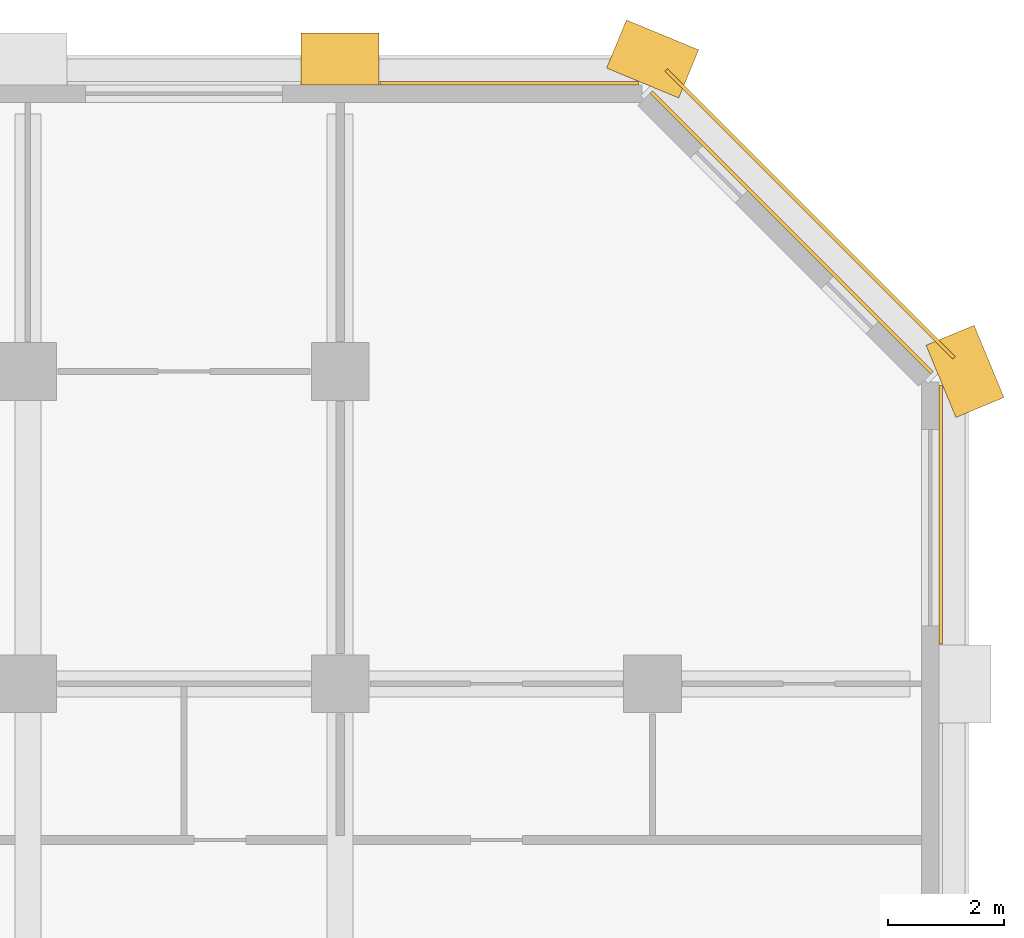
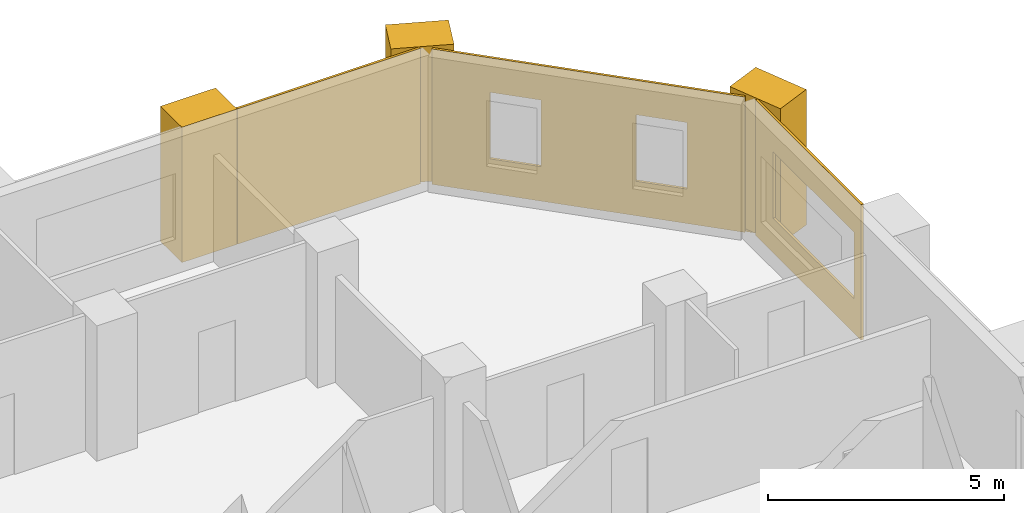
# One storey, part 11 of 11: 7 coverings.
"""IFC4 building model written with IfcOpenShell, lengths in metres."""

from ifc_helpers import new_model, si_unit, direction, frame, frame_2d, origin, place, context, subcontext, project, spatial, polyline, rectangle, outline, extrude, material, layer, layer_set, type_object, element, save


model = new_model("IFC4")

# Units and contexts
model_context = context("Model", 3, precision=1e-05, world=origin(), true_north=direction((0.0, 1.0)))
body_context = subcontext(model_context, "Body", "Model", "MODEL_VIEW")
ifc_project = project(units=[si_unit("LENGTHUNIT", "METRE"), si_unit("AREAUNIT", "SQUARE_METRE"), si_unit("VOLUMEUNIT", "CUBIC_METRE"), si_unit("PLANEANGLEUNIT", "RADIAN"), si_unit("MASSUNIT", "GRAM", prefix="KILO")], contexts=[model_context])

# Site, building, storey
site_placement = place(None, origin())
site = spatial("IfcSite", under=ifc_project, at=site_placement, CompositionType="ELEMENT")
building_placement = place(site_placement, origin())
building = spatial("IfcBuilding", under=site, at=building_placement, Name="Tabaq Tower and Sports Hall", CompositionType="ELEMENT")
storey_placement = place(building_placement, frame((0.0, 0.0, 76.39990234375)))
storey = spatial("IfcBuildingStorey", under=building, at=storey_placement, Name="L17", CompositionType="ELEMENT", Elevation=76.39990234375)

# Coverings
ifc_material_1 = material(Name="Precast concrete C60/75", Category="concrete")
ifc_layer_1 = layer(ifc_material_1, 0.06005859375)
ifc_layer_set_1 = layer_set([ifc_layer_1], Name="Edge beam cladding 60")
covering_type_1 = type_object("IfcCoveringType", Name="Edge beam cladding 60", PredefinedType="CLADDING", material=ifc_layer_set_1)
covering_1_placement = place(storey_placement, frame((48.41015625, 43.432373046875, -0.2998046875), z_axis=(0.0, 0.0, 1.0), x_axis=(-0.707106781187, 0.707106781187, 0.0)))
element("IfcCovering", 1, at=covering_1_placement, inside=storey, type_object=covering_type_1, Name="Edge beam cladding L17 3", PredefinedType="CLADDING", context=body_context, shape_type="SweptSolid", body=[
    extrude(rectangle(XDim=7.03955078125, YDim=0.06005859375, at=frame_2d((3.519775390625, 0.0))), origin(), (0.0, 0.0, 1.0), 0.2998046875),
])
ifc_material_2 = material(Name="White precast concrete C60/75", Category="concrete")
covering_type_2 = type_object("IfcCoveringType", Name="Pier cladding hung 1350x900", PredefinedType="CLADDING", material=ifc_material_2)
for number, where, z_axis, x_axis, name in (
    (2, (38.47509765625, 48.60009765625, 0.0), (0.0, 0.0, 1.0), (-1.0, 0.0, 0.0), "Hung pier cladding 7/9"),
    (3, (43.82373046875, 48.341796875, 0.0), (0.0, 0.0, 1.0), (-0.923893411637, 0.382649923473, 0.0), "Hung pier cladding 8/9"),
    (4, (48.8583984375, 42.576416015625, 0.0), (0.0, 0.0, 1.0), (-0.382649923473, 0.923893411637, 0.0), "Hung pier cladding 9/8"),
):
    element("IfcCovering", number, at=place(storey_placement, frame(where, z_axis=z_axis, x_axis=x_axis)), inside=storey, type_object=covering_type_2, Name=name, PredefinedType="CLADDING", context=body_context, shape_type="SweptSolid", body=[
        extrude(rectangle(XDim=1.35009765625, YDim=0.89990234375, at=frame_2d((0.675048828125, 0.0))), origin(), (0.0, 0.0, 1.0), 3.5),
    ])
ifc_material_3 = material(Name="Precast concrete C60/75", Category="concrete")
ifc_layer_2 = layer(ifc_material_3, 0.06005859375)
ifc_layer_set_2 = layer_set([ifc_layer_2], Name="White precast cladding panel 60 C60/75")
covering_type_3 = type_object("IfcCoveringType", Name="White precast cladding panel 60 C60/75", PredefinedType="CLADDING", material=ifc_layer_set_2)
covering_2_placement = place(storey_placement, frame((48.179931640625, 38.485107421875, 0.0), z_axis=(0.0, 0.0, 1.0), x_axis=(0.0, 1.0, 0.0)))
element("IfcCovering", 5, at=covering_2_placement, inside=storey, type_object=covering_type_3, Name="White precast cladding panel L17 wall02 6", PredefinedType="CLADDING", context=body_context, shape_type="SweptSolid", body=[
    extrude(outline(polyline([(0.0, 0.0), (4.4716796875, 0.0), (4.4716796875, 3.5), (0.0, 3.5), (0.0, 0.0)]), holes=[polyline([(0.304931640625, 0.89013671875), (0.304931640625, 2.610107421875), (3.72509765625, 2.610107421875), (3.72509765625, 0.89013671875), (0.304931640625, 0.89013671875)])]), frame((0.0, 0.030029296875, 0.0), z_axis=(0.0, -1.0, 0.0), x_axis=(1.0, 0.0, 0.0)), (0.0, 0.0, 1.0), 0.06005859375),
])
covering_3_placement = place(storey_placement, frame((48.0283203125, 43.177734375, 0.0), z_axis=(0.0, 0.0, 1.0), x_axis=(-0.707106781187, 0.707106781187, 0.0)))
element("IfcCovering", 6, at=covering_3_placement, inside=storey, type_object=covering_type_3, Name="White precast cladding panel L17 wall03", PredefinedType="CLADDING", context=body_context, shape_type="SweptSolid", body=[
    extrude(outline(polyline([(0.0, 0.0), (6.85986328125, 0.0), (6.85986328125, 3.5), (0.0, 3.5), (0.0, 0.0)]), holes=[polyline([(1.269775390625, 2.610107421875), (2.389892578125, 2.610107421875), (2.389892578125, 0.89013671875), (1.269775390625, 0.89013671875), (1.269775390625, 2.610107421875)]), polyline([(4.4697265625, 2.610107421875), (5.58984375, 2.610107421875), (5.58984375, 0.89013671875), (4.4697265625, 0.89013671875), (4.4697265625, 2.610107421875)])]), frame((0.0, 0.030029296875, 0.0), z_axis=(0.0, -1.0, 0.0), x_axis=(1.0, 0.0, 0.0)), (0.0, 0.0, 1.0), 0.06005859375),
])
covering_4_placement = place(storey_placement, frame((42.956787109375, 48.179931640625, 0.0), z_axis=(0.0, 0.0, 1.0), x_axis=(-1.0, 0.0, 0.0)))
element("IfcCovering", 7, at=covering_4_placement, inside=storey, type_object=covering_type_3, Name="White precast cladding panel L17 wall04", PredefinedType="CLADDING", context=body_context, shape_type="SweptSolid", body=[
    extrude(rectangle(XDim=4.4716796875, YDim=0.06005859375, at=frame_2d((2.23583984375, 0.0))), origin(), (0.0, 0.0, 1.0), 3.5),
])

save(model, "model.ifc")
